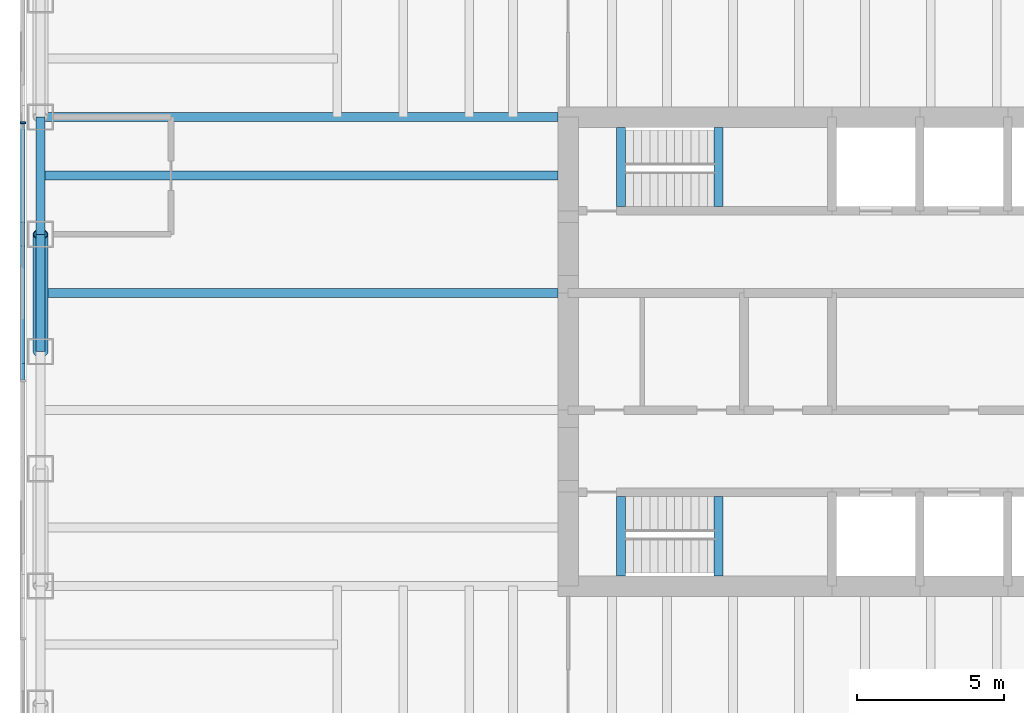
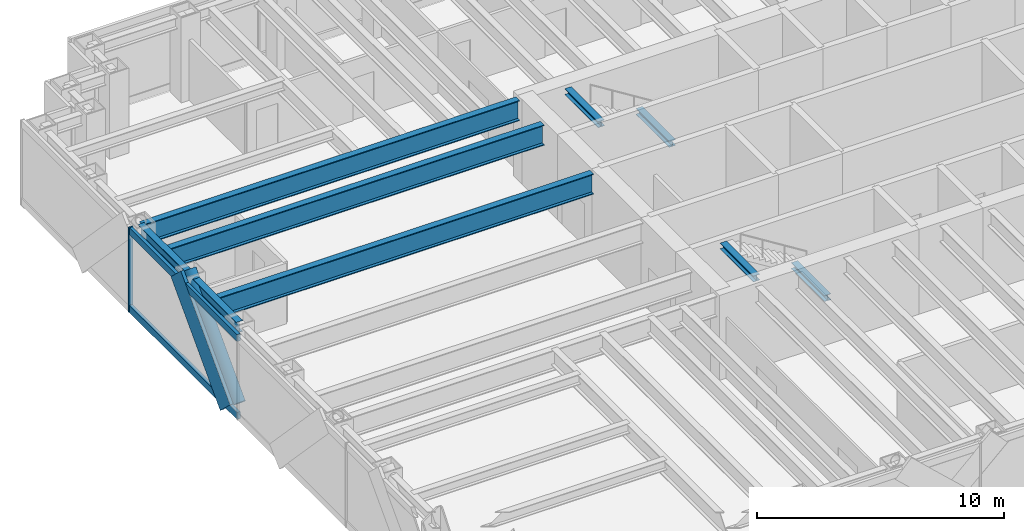
# One storey, part 3 of 17: 9 beams, 5 members, 1 element without a shape of its own.
"""IFC4 building model written with IfcOpenShell, lengths in metres."""

from ifc_helpers import new_model, si_unit, direction, frame, origin, origin_2d, place, context, subcontext, project, spatial, rectangle, hollow_circle, i_section, extrude, material, material_profile, profile_set, type_object, element, aggregate, save


model = new_model("IFC4")

# Units and contexts
model_context = context("Model", 3, precision=1e-05, world=origin(), true_north=direction((0.0, 1.0)))
body_context = subcontext(model_context, "Body", "Model", "MODEL_VIEW")
ifc_project = project(units=[si_unit("LENGTHUNIT", "METRE"), si_unit("AREAUNIT", "SQUARE_METRE"), si_unit("VOLUMEUNIT", "CUBIC_METRE"), si_unit("PLANEANGLEUNIT", "RADIAN"), si_unit("MASSUNIT", "GRAM", prefix="KILO")], contexts=[model_context])

# Site, building, storey
site_placement = place(None, origin())
site = spatial("IfcSite", under=ifc_project, at=site_placement, CompositionType="ELEMENT")
building_placement = place(site_placement, origin())
building = spatial("IfcBuilding", under=site, at=building_placement, Name="Rheinbord Bourse Tower", CompositionType="ELEMENT")
storey_placement = place(building_placement, frame((0.0, 0.0, 317.300048828125)))
storey = spatial("IfcBuildingStorey", under=building, at=storey_placement, Name="L72", CompositionType="ELEMENT", Elevation=317.300048828125)

# Curtain wall, members
ifc_material_1 = material(Name="Dark glass and black aluminium", Category="aluminium")
curtain_wall_type = type_object("IfcCurtainWallType", Name="CW3 DARK GLASS CURTAIN WALL", PredefinedType="USERDEFINED", material=ifc_material_1)
curtain_wall_placement = place(storey_placement, origin())
curtain_wall = element("IfcCurtainWall", 1, at=curtain_wall_placement, inside=storey, type_object=curtain_wall_type, Name="Curtain wall CW3 W L72", ObjectType="UNITISED CURTAIN WALL", PredefinedType="USERDEFINED")
ifc_material_2 = material(Name="Black anodised aluminium", Category="aluminium")
ifc_material_profile_1 = material_profile(ifc_material_2, rectangle(XDim=0.14990234375, YDim=1.10791015625, at=origin_2d()), Name="CW3 DIAGONAL MULLION 1108x150")
ifc_profile_set_1 = profile_set([ifc_material_profile_1], Name="Black anodised aluminium")
member_type_1 = type_object("IfcMemberType", Name="CW3 BLACK DIAGONAL MULLION", PredefinedType="USERDEFINED", material=ifc_profile_set_1)
member_1_placement = place(storey_placement, frame((-0.60009765625, 24.0, 0.0), z_axis=(0.0, 0.689659376744, 0.724133926887), x_axis=(-1.0, 0.0, 0.0)))
member_1 = element("IfcMember", 2, at=member_1_placement, type_object=member_type_1, Name="CW3 diagonal mullion c", ObjectType="DIAGONAL MULLION", PredefinedType="USERDEFINED", context=body_context, shape_type="SweptSolid", body=[
    extrude(rectangle(XDim=0.14990234375, YDim=1.10791015625, at=origin_2d()), origin(), (0.0, 0.0, 1.0), 5.800048828125),
])
ifc_material_3 = material(Name="Black anodised aluminium", Category="aluminium")
ifc_material_profile_2 = material_profile(ifc_material_3, rectangle(XDim=0.199951171875, YDim=0.06494140625, at=origin_2d()), Name="CW3 MULLION 65x200")
ifc_profile_set_2 = profile_set([ifc_material_profile_2], Name="Black anodised aluminium")
member_type_2 = type_object("IfcMemberType", Name="CW3 BLACK MULLION", PredefinedType="MULLION", material=ifc_profile_set_2)
member_2_placement = place(storey_placement, frame((-0.60009765625, 31.800048828125, 0.0), z_axis=(0.0, 0.0, 1.0), x_axis=(1.0, 0.0, 0.0)))
member_2 = element("IfcMember", 3, at=member_2_placement, type_object=member_type_2, Name="CW3 mullion 2", PredefinedType="MULLION", context=body_context, shape_type="SweptSolid", body=[
    extrude(rectangle(XDim=0.199951171875, YDim=0.06494140625, at=origin_2d()), origin(), (0.0, 0.0, 1.0), 4.199951171875),
])
ifc_material_4 = material(Name="Black anodised aluminium", Category="aluminium")
ifc_material_profile_3 = material_profile(ifc_material_4, rectangle(XDim=0.14990234375, YDim=0.35009765625, at=origin_2d()), Name="CW3 TRANSOM 350x150")
ifc_profile_set_3 = profile_set([ifc_material_profile_3], Name="Black anodised aluminium")
member_type_3 = type_object("IfcMemberType", Name="CW3 BLACK TRANSOM", PredefinedType="USERDEFINED", material=ifc_profile_set_3)
member_3_placement = place(storey_placement, frame((-0.60009765625, 31.767578125, 0.175048828125), z_axis=(0.0, -1.0, 0.0), x_axis=(1.0, 0.0, 0.0)))
member_3 = element("IfcMember", 4, at=member_3_placement, type_object=member_type_3, Name="CW3 transom 2.1", ObjectType="TRANSOM", PredefinedType="USERDEFINED", context=body_context, shape_type="SweptSolid", body=[
    extrude(rectangle(XDim=0.14990234375, YDim=0.35009765625, at=origin_2d()), origin(), (0.0, 0.0, 1.0), 8.735107421875),
])
member_4_placement = place(storey_placement, frame((-0.60009765625, 31.767578125, 4.02490234375), z_axis=(0.0, -1.0, 0.0), x_axis=(1.0, 0.0, 0.0)))
member_4 = element("IfcMember", 5, at=member_4_placement, type_object=member_type_3, Name="CW3 transom 2.2", ObjectType="TRANSOM", PredefinedType="USERDEFINED", context=body_context, shape_type="SweptSolid", body=[
    extrude(rectangle(XDim=0.14990234375, YDim=0.35009765625, at=origin_2d()), origin(), (0.0, 0.0, 1.0), 8.735107421875),
])
aggregate(curtain_wall, [member_2, member_3, member_4, member_1])

# Beams
ifc_material_5 = material(Name="Steel S460", Category="steel")
ifc_material_profile_4 = material_profile(ifc_material_5, i_section(OverallWidth=0.302001953125, OverallDepth=1.008056640625, WebThickness=0.02099609375, FlangeThickness=0.0400390625, at=origin_2d()), Name="HEM 1000")
ifc_profile_set_4 = profile_set([ifc_material_profile_4], Name="Steel S460")
beam_type_1 = type_object("IfcBeamType", Name="END BEAM HEM 1000", PredefinedType="BEAM", material=ifc_profile_set_4)
for number, where, z_axis, x_axis, name in (
    (6, (0.0, 26.0, 3.535888671875), (1.0, 0.0, 0.0), (0.0, 1.0, 0.0), "End beam west 26 L73"),
    (7, (0.0, 30.0, 3.535888671875), (1.0, 0.0, 0.0), (0.0, 1.0, 0.0), "End beam west 30 L73"),
):
    element("IfcBeam", number, at=place(storey_placement, frame(where, z_axis=z_axis, x_axis=x_axis)), inside=storey, type_object=beam_type_1, Name=name, PredefinedType="BEAM", context=body_context, shape_type="SweptSolid", body=[
        extrude(i_section(OverallWidth=0.302001953125, OverallDepth=1.008056640625, WebThickness=0.02099609375, FlangeThickness=0.0400390625, at=origin_2d()), origin(), (0.0, 0.0, 1.0), 17.64990234375),
    ])
ifc_material_6 = material(Name="Steel S460", Category="steel")
ifc_material_profile_5 = material_profile(ifc_material_6, i_section(OverallWidth=0.302001953125, OverallDepth=1.008056640625, WebThickness=0.02099609375, FlangeThickness=0.0400390625, at=origin_2d()), Name="HEM 1000")
ifc_profile_set_5 = profile_set([ifc_material_profile_5], Name="Steel S460")
beam_type_2 = type_object("IfcBeamType", Name="GIRDER HEM 1000", PredefinedType="BEAM", material=ifc_profile_set_5)
beam_placement = place(storey_placement, frame((0.0, 32.0, 3.535888671875), z_axis=(1.0, 0.0, 0.0), x_axis=(0.0, 1.0, 0.0)))
element("IfcBeam", 8, at=beam_placement, inside=storey, type_object=beam_type_2, Name="Girder west 32 L73", PredefinedType="BEAM", context=body_context, shape_type="SweptSolid", body=[
    extrude(i_section(OverallWidth=0.302001953125, OverallDepth=1.008056640625, WebThickness=0.02099609375, FlangeThickness=0.0400390625, at=origin_2d()), origin(), (0.0, 0.0, 1.0), 17.64990234375),
])
ifc_material_7 = material(Name="Steel S460", Category="steel")
ifc_material_profile_6 = material_profile(ifc_material_7, i_section(OverallWidth=0.300048828125, OverallDepth=0.300048828125, WebThickness=0.010986328125, FlangeThickness=0.01904296875, at=origin_2d()), Name="HEB 300")
ifc_profile_set_6 = profile_set([ifc_material_profile_6], Name="Steel S460")
beam_type_3 = type_object("IfcBeamType", Name="LANDING TRIMMER HEB 300", PredefinedType="BEAM", material=ifc_profile_set_6)
for number, where, z_axis, x_axis, name in (
    (9, (23.1298828125, 16.35009765625, 1.75), (0.0, 1.0, 0.0), (-1.0, 0.0, 0.0), "Landing trimmer ST1 L72"),
    (10, (19.800048828125, 16.35009765625, 3.889892578125), (0.0, 1.0, 0.0), (-1.0, 0.0, 0.0), "Well trimmer ST1 under L73"),
    (11, (23.1298828125, 28.949951171875, 1.75), (0.0, 1.0, 0.0), (-1.0, 0.0, 0.0), "Landing trimmer ST2 L72"),
    (12, (19.800048828125, 28.949951171875, 3.889892578125), (0.0, 1.0, 0.0), (-1.0, 0.0, 0.0), "Well trimmer ST2 under L73"),
):
    element("IfcBeam", number, at=place(storey_placement, frame(where, z_axis=z_axis, x_axis=x_axis)), inside=storey, type_object=beam_type_3, Name=name, PredefinedType="BEAM", context=body_context, shape_type="SweptSolid", body=[
        extrude(i_section(OverallWidth=0.300048828125, OverallDepth=0.300048828125, WebThickness=0.010986328125, FlangeThickness=0.01904296875, at=origin_2d()), origin(), (0.0, 0.0, 1.0), 2.699951171875),
    ])

# Member
ifc_material_8 = material(Name="Steel S460", Category="steel")
ifc_material_profile_7 = material_profile(ifc_material_8, hollow_circle(Radius=0.25390625, WallThickness=0.030029296875, at=origin_2d()), Name="CHS 508x30")
ifc_profile_set_7 = profile_set([ifc_material_profile_7], Name="Steel S460")
member_type_4 = type_object("IfcMemberType", Name="MEGABRACE CHS 508x30", PredefinedType="BRACE", material=ifc_profile_set_7)
member_5_placement = place(storey_placement, frame((0.0, 24.0, 0.0), z_axis=(0.0, 0.689659376744, 0.724133926887), x_axis=(-1.0, 0.0, 0.0)))
element("IfcMember", 13, at=member_5_placement, inside=storey, type_object=member_type_4, Name="Megabrace W face line c L72", PredefinedType="BRACE", context=body_context, shape_type="SweptSolid", body=[
    extrude(hollow_circle(Radius=0.25390625, WallThickness=0.030029296875, at=origin_2d()), origin(), (0.0, 0.0, 1.0), 5.800048828125),
])

# Beams
ifc_material_9 = material(Name="Steel S460", Category="steel")
ifc_material_profile_8 = material_profile(ifc_material_9, i_section(OverallWidth=0.300048828125, OverallDepth=0.550048828125, WebThickness=0.014892578125, FlangeThickness=0.029052734375, at=origin_2d()), Name="HEB 550")
ifc_profile_set_8 = profile_set([ifc_material_profile_8], Name="Steel S460")
beam_type_4 = type_object("IfcBeamType", Name="SPANDREL HEB 550", PredefinedType="SPANDREL", material=ifc_profile_set_8)
for number, where, z_axis, x_axis, name in (
    (14, (0.0, 32.0, 3.764892578125), (0.0, -1.0, 0.0), (1.0, 0.0, 0.0), "Spandrel W-32-W-28 under L73"),
    (15, (0.0, 28.0, 3.764892578125), (0.0, -1.0, 0.0), (1.0, 0.0, 0.0), "Spandrel W-28-W-24 under L73"),
):
    element("IfcBeam", number, at=place(storey_placement, frame(where, z_axis=z_axis, x_axis=x_axis)), inside=storey, type_object=beam_type_4, Name=name, PredefinedType="SPANDREL", context=body_context, shape_type="SweptSolid", body=[
        extrude(i_section(OverallWidth=0.300048828125, OverallDepth=0.550048828125, WebThickness=0.014892578125, FlangeThickness=0.029052734375, at=origin_2d()), origin(), (0.0, 0.0, 1.0), 4.0),
    ])

save(model, "model.ifc")
